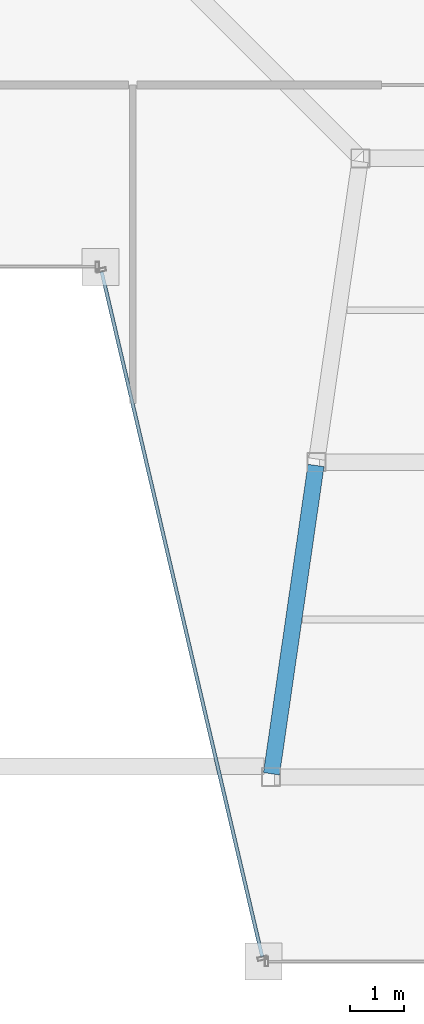
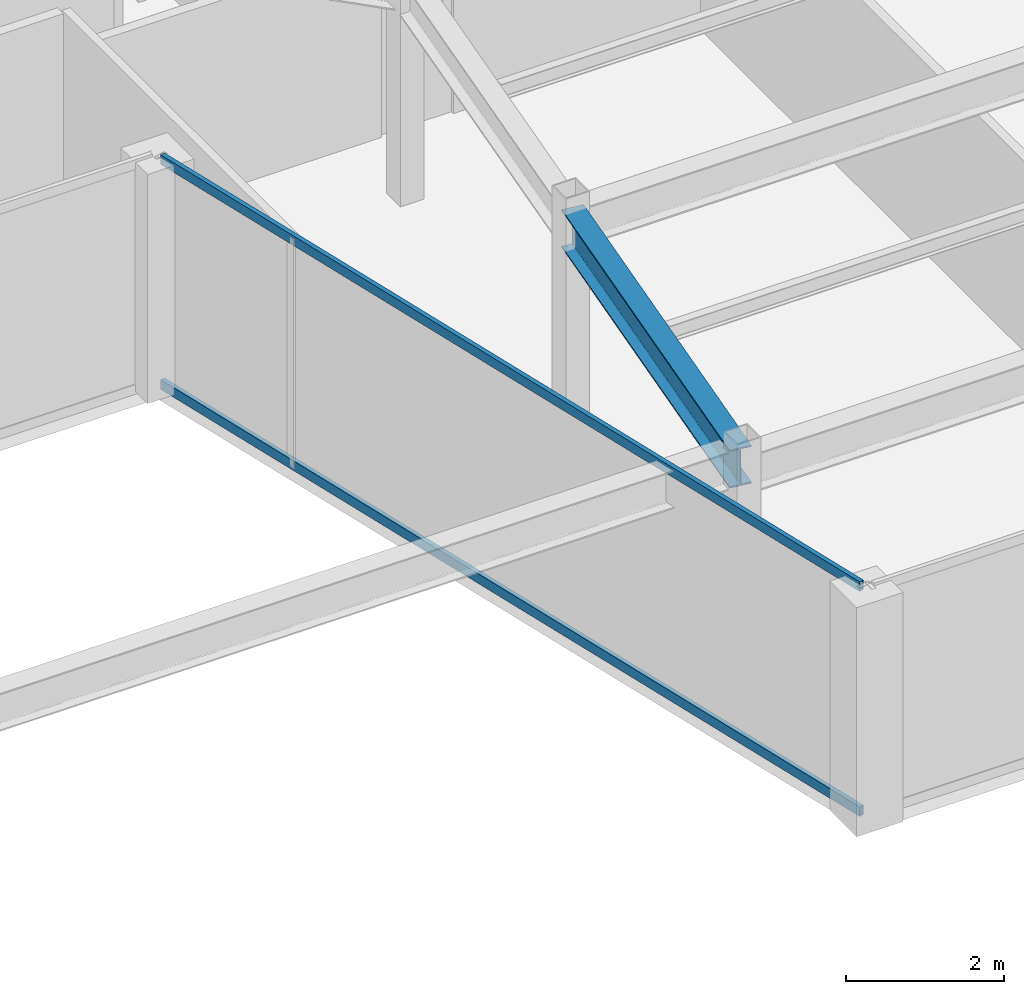
# One storey, part 13 of 32: 2 members, 1 beam, 1 element without a shape of its own.
"""IFC4 building model written with IfcOpenShell, lengths in metres."""

from ifc_helpers import new_model, si_unit, direction, frame, origin, origin_2d, place, context, subcontext, project, spatial, hollow_rectangle, i_section, extrude, material, material_profile, profile_set, type_object, element, aggregate, save


model = new_model("IFC4")

# Units and contexts
model_context = context("Model", 3, precision=1e-05, world=origin(), true_north=direction((0.0, 1.0)))
body_context = subcontext(model_context, "Body", "Model", "MODEL_VIEW")
ifc_project = project(units=[si_unit("LENGTHUNIT", "METRE"), si_unit("AREAUNIT", "SQUARE_METRE"), si_unit("VOLUMEUNIT", "CUBIC_METRE"), si_unit("PLANEANGLEUNIT", "RADIAN"), si_unit("MASSUNIT", "GRAM", prefix="KILO")], contexts=[model_context])

# Site, building, storey
site_placement = place(None, origin())
site = spatial("IfcSite", under=ifc_project, at=site_placement, CompositionType="ELEMENT")
building_placement = place(site_placement, origin())
building = spatial("IfcBuilding", under=site, at=building_placement, Name="Saevonmaru Cultural Tower", CompositionType="ELEMENT")
storey_placement = place(building_placement, frame((0.0, 0.0, 268.60009765625)))
storey = spatial("IfcBuildingStorey", under=building, at=storey_placement, Name="L63", CompositionType="ELEMENT", Elevation=268.60009765625)

# Beam
ifc_material_1 = material(Name="Steel SM355", Category="steel")
ifc_material_profile_1 = material_profile(ifc_material_1, i_section(OverallWidth=0.300048828125, OverallDepth=0.587890625, WebThickness=0.011962890625, FlangeThickness=0.02001953125, FilletRadius=0.02392578125, at=origin_2d()), Name="H-588x300x12x20")
ifc_profile_set_1 = profile_set([ifc_material_profile_1], Name="Steel SM355")
beam_type = type_object("IfcBeamType", Name="BM-G-H588", PredefinedType="BEAM", material=ifc_profile_set_1)
beam_placement = place(storey_placement, frame((39.5546875, 26.259521484375, 3.255859375), z_axis=(0.142826510921, 0.989747739466, 0.0), x_axis=(-0.989747739466, 0.142826510921, 0.0)))
element("IfcBeam", 1, at=beam_placement, inside=storey, type_object=beam_type, Name="L63 East Atrium Girder 1", PredefinedType="BEAM", context=body_context, shape_type="SweptSolid", body=[
    extrude(i_section(OverallWidth=0.300048828125, OverallDepth=0.587890625, WebThickness=0.011962890625, FlangeThickness=0.02001953125, FilletRadius=0.02392578125, at=origin_2d()), origin(), (0.0, 0.0, 1.0), 5.739990234375),
])

# Curtain wall, members
ifc_material_2 = material(Name="Satin Bronze Anodised Aluminium", Category="aluminium")
curtain_wall_type = type_object("IfcCurtainWallType", Name="CW-TYP-B", PredefinedType="NOTDEFINED", material=ifc_material_2)
curtain_wall_placement = place(storey_placement, origin())
curtain_wall = element("IfcCurtainWall", 2, at=curtain_wall_placement, inside=storey, type_object=curtain_wall_type, Name="L63 Unitised Curtain Wall E5", PredefinedType="NOTDEFINED")
ifc_material_profile_2 = material_profile(ifc_material_2, hollow_rectangle(XDim=0.06494140625, YDim=0.14990234375, WallThickness=0.00390625, at=origin_2d()), Name="ALU-TRAN-150x65x4")
ifc_profile_set_2 = profile_set([ifc_material_profile_2], Name="Satin Bronze Anodised Aluminium")
member_type = type_object("IfcMemberType", Name="TR-CW-150x65", PredefinedType="USERDEFINED", material=ifc_profile_set_2)
member_1_placement = place(storey_placement, frame((36.425537109375, 35.510009765625, 0.032470703125), z_axis=(0.228189927903, -0.973616637493, 0.0), x_axis=(0.973616637493, 0.228189927903, 0.0)))
member_1 = element("IfcMember", 3, at=member_1_placement, type_object=member_type, Name="CW-TW-L63-E5 transom 1.1", ObjectType="TRANSOM", PredefinedType="USERDEFINED", context=body_context, shape_type="SweptSolid", body=[
    extrude(hollow_rectangle(XDim=0.06494140625, YDim=0.14990234375, WallThickness=0.00390625, at=origin_2d()), origin(), (0.0, 0.0, 1.0), 12.9619140625),
])
member_2_placement = place(storey_placement, frame((36.425537109375, 35.510009765625, 3.517333984375), z_axis=(0.228189927903, -0.973616637493, 0.0), x_axis=(0.973616637493, 0.228189927903, 0.0)))
member_2 = element("IfcMember", 4, at=member_2_placement, type_object=member_type, Name="CW-TW-L63-E5 transom 1.2", ObjectType="TRANSOM", PredefinedType="USERDEFINED", context=body_context, shape_type="SweptSolid", body=[
    extrude(hollow_rectangle(XDim=0.06494140625, YDim=0.14990234375, WallThickness=0.00390625, at=origin_2d()), origin(), (0.0, 0.0, 1.0), 12.9619140625),
])
aggregate(curtain_wall, [member_1, member_2])

save(model, "model.ifc")
